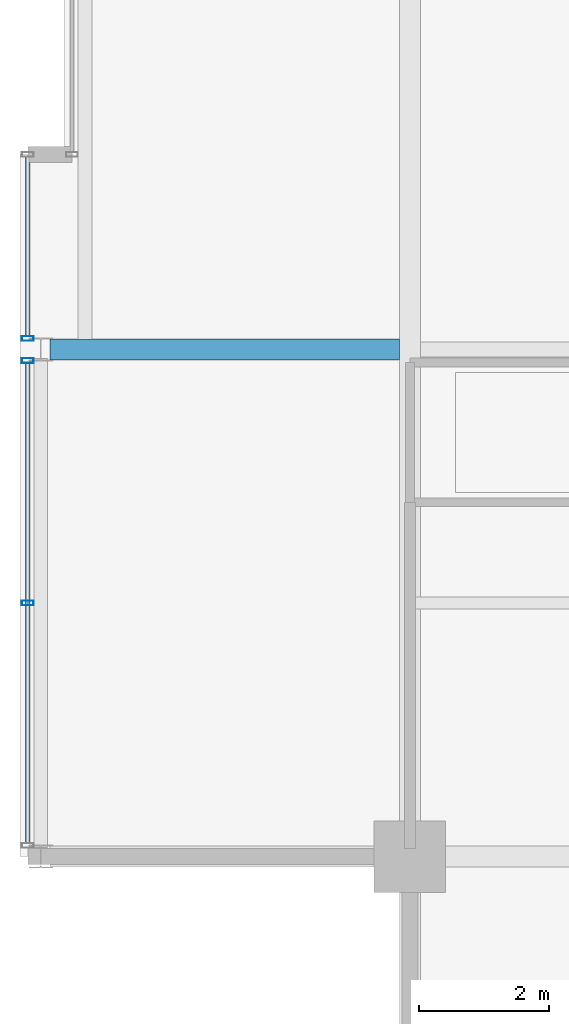
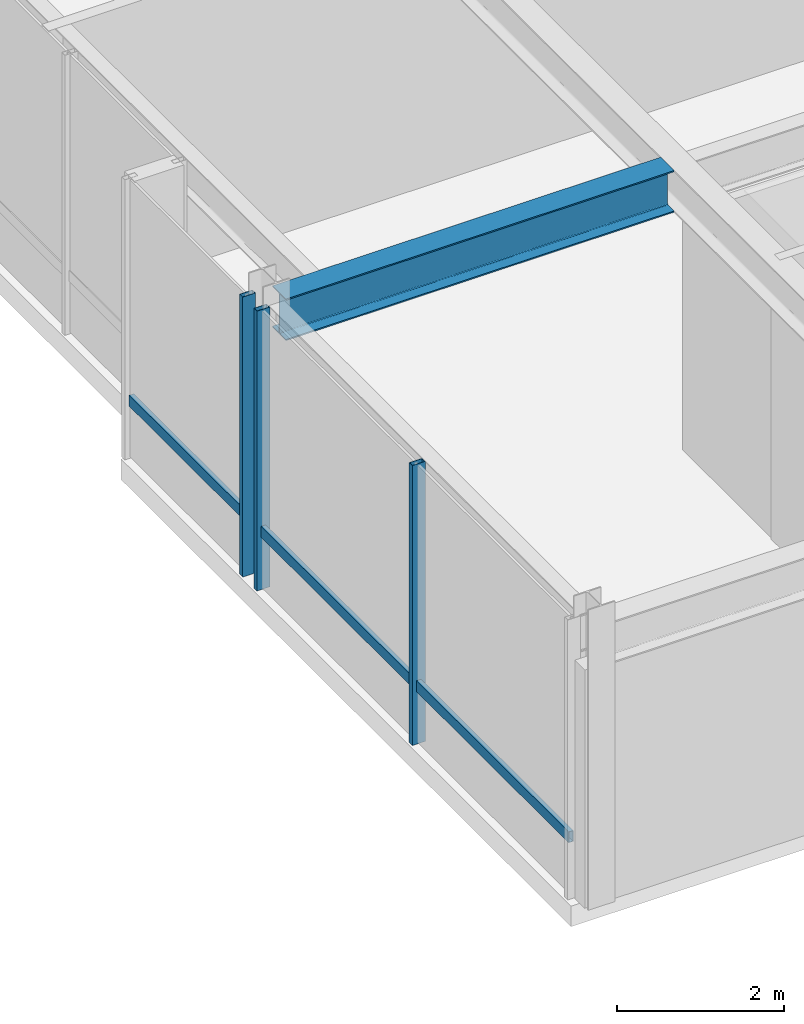
# One storey, part 6 of 34: 5 members, 1 beam, 2 elements without a shape of their own.
"""IFC4 building model written with IfcOpenShell, lengths in metres."""

from ifc_helpers import new_model, si_unit, direction, frame, origin, origin_2d, place, context, subcontext, project, spatial, hollow_rectangle, i_section, extrude, material, layer, layer_set, material_profile, profile_set, type_object, element, aggregate, save


model = new_model("IFC4")

# Units and contexts
model_context = context("Model", 3, precision=1e-05, world=origin(), true_north=direction((0.0, 1.0)))
body_context = subcontext(model_context, "Body", "Model", "MODEL_VIEW")
ifc_project = project(units=[si_unit("LENGTHUNIT", "METRE"), si_unit("AREAUNIT", "SQUARE_METRE"), si_unit("VOLUMEUNIT", "CUBIC_METRE"), si_unit("PLANEANGLEUNIT", "RADIAN"), si_unit("MASSUNIT", "GRAM", prefix="KILO")], contexts=[model_context])

# Site, building, storey
site_placement = place(None, origin())
site = spatial("IfcSite", under=ifc_project, at=site_placement, CompositionType="ELEMENT")
building_placement = place(site_placement, origin())
building = spatial("IfcBuilding", under=site, at=building_placement, Name="Drelvath Grand Hotel", CompositionType="ELEMENT")
storey_placement = place(building_placement, frame((0.0, 0.0, 294.199951171875)))
storey = spatial("IfcBuildingStorey", under=building, at=storey_placement, Name="L77", CompositionType="ELEMENT", Elevation=294.199951171875)

# Curtain wall, member
ifc_material_1 = material(Name="Platinum-Mist Anodised Aluminium Frame", Category="aluminium")
ifc_layer = layer(ifc_material_1, 0.199951171875)
ifc_layer_set = layer_set([ifc_layer], Name="Platinum-Mist Anodised Aluminium Frame")
curtain_wall_type = type_object("IfcCurtainWallType", Name="Stick Curtain Wall CW-05 Platinum Mist High-Rise", PredefinedType="NOTDEFINED", material=ifc_layer_set)
curtain_wall_1_placement = place(storey_placement, origin())
curtain_wall_1 = element("IfcCurtainWall", 1, at=curtain_wall_1_placement, inside=storey, type_object=curtain_wall_type, Name="L77 CW-05 Curtain Wall CW05-L77-WS1", PredefinedType="NOTDEFINED")
ifc_material_profile_1 = material_profile(ifc_material_1, hollow_rectangle(XDim=0.06494140625, YDim=0.159912109375, WallThickness=0.00390625, at=origin_2d()), Name="HSS160X65X4")
ifc_profile_set_1 = profile_set([ifc_material_profile_1], Name="Platinum-Mist Anodised Aluminium Frame")
member_type_1 = type_object("IfcMemberType", Name="Curtain Wall Horizontal Transom CW-05 HSS160X65X4", PredefinedType="USERDEFINED", material=ifc_profile_set_1)
member_1_placement = place(storey_placement, frame((-22.080078125, 11.010009765625, 0.85009765625), z_axis=(0.0, 1.0, 0.0), x_axis=(-1.0, 0.0, 0.0)))
member_1 = element("IfcMember", 2, at=member_1_placement, type_object=member_type_1, Name="CW05-L77-WS1 Sill Transom", ObjectType="TRANSOM", PredefinedType="USERDEFINED", context=body_context, shape_type="SweptSolid", body=[
    extrude(hollow_rectangle(XDim=0.06494140625, YDim=0.159912109375, WallThickness=0.00390625, at=origin_2d()), origin(), (0.0, 0.0, 1.0), 7.3798828125),
])

curtain_wall_2_placement = place(storey_placement, origin())
curtain_wall_2 = element("IfcCurtainWall", 3, at=curtain_wall_2_placement, inside=storey, type_object=curtain_wall_type, Name="L77 CW-05 Curtain Wall CW05-L77-WS2", PredefinedType="NOTDEFINED")
member_2_placement = place(storey_placement, frame((-22.080078125, 18.81005859375, 0.85009765625), z_axis=(0.0, 1.0, 0.0), x_axis=(-1.0, 0.0, 0.0)))
member_2 = element("IfcMember", 4, at=member_2_placement, type_object=member_type_1, Name="CW05-L77-WS2 Sill Transom", ObjectType="TRANSOM", PredefinedType="USERDEFINED", context=body_context, shape_type="SweptSolid", body=[
    extrude(hollow_rectangle(XDim=0.06494140625, YDim=0.159912109375, WallThickness=0.00390625, at=origin_2d()), origin(), (0.0, 0.0, 1.0), 2.75),
])

# Member
ifc_material_profile_2 = material_profile(ifc_material_1, hollow_rectangle(XDim=0.074951171875, YDim=0.179931640625, WallThickness=0.0048828125, at=origin_2d()), Name="HSS180X75X5")
ifc_profile_set_2 = profile_set([ifc_material_profile_2], Name="Platinum-Mist Anodised Aluminium Frame")
member_type_2 = type_object("IfcMemberType", Name="Curtain Wall Vertical Mullion CW-05 HSS180X75X5", PredefinedType="MULLION", material=ifc_profile_set_2)
member_3_placement = place(storey_placement, frame((-22.080078125, 14.7001953125, 0.0), z_axis=(0.0, 0.0, 1.0), x_axis=(0.0, 1.0, 0.0)))
member_3 = element("IfcMember", 5, at=member_3_placement, type_object=member_type_2, Name="CW05-L77-WS1 Mullion 2", PredefinedType="MULLION", context=body_context, shape_type="SweptSolid", body=[
    extrude(hollow_rectangle(XDim=0.074951171875, YDim=0.179931640625, WallThickness=0.0048828125, at=origin_2d()), origin(), (0.0, 0.0, 1.0), 4.10009765625),
])

member_4_placement = place(storey_placement, frame((-22.080078125, 18.429931640625, 0.0), z_axis=(0.0, 0.0, 1.0), x_axis=(0.0, 1.0, 0.0)))
member_4 = element("IfcMember", 6, at=member_4_placement, type_object=member_type_2, Name="CW05-L77-WS1 Mullion 3", PredefinedType="MULLION", context=body_context, shape_type="SweptSolid", body=[
    extrude(hollow_rectangle(XDim=0.074951171875, YDim=0.179931640625, WallThickness=0.0048828125, at=origin_2d()), origin(), (0.0, 0.0, 1.0), 4.10009765625),
])

aggregate(curtain_wall_1, [member_3, member_4, member_1])

member_5_placement = place(storey_placement, frame((-22.080078125, 18.77001953125, 0.0), z_axis=(0.0, 0.0, 1.0), x_axis=(0.0, 1.0, 0.0)))
member_5 = element("IfcMember", 7, at=member_5_placement, type_object=member_type_2, Name="CW05-L77-WS2 Mullion 1", PredefinedType="MULLION", context=body_context, shape_type="SweptSolid", body=[
    extrude(hollow_rectangle(XDim=0.074951171875, YDim=0.179931640625, WallThickness=0.0048828125, at=origin_2d()), origin(), (0.0, 0.0, 1.0), 4.10009765625),
])

aggregate(curtain_wall_2, [member_5, member_2])

# Beam
ifc_material_2 = material(Name="Steel ASTM A992 Gr 50", Category="steel")
ifc_material_profile_3 = material_profile(ifc_material_2, i_section(OverallWidth=0.323974609375, OverallDepth=0.611083984375, WebThickness=0.0126953125, FlangeThickness=0.01904296875, FilletRadius=0.02197265625, at=origin_2d()), Name="W24X104")
ifc_profile_set_3 = profile_set([ifc_material_profile_3], Name="Steel ASTM A992 Gr 50")
beam_type = type_object("IfcBeamType", Name="Primary Floor Girder W24X104", PredefinedType="BEAM", material=ifc_profile_set_3)
beam_placement = place(storey_placement, frame((-21.739990234375, 18.60009765625, 3.79443359375), z_axis=(1.0, 0.0, 0.0), x_axis=(0.0, 1.0, 0.0)))
element("IfcBeam", 8, at=beam_placement, inside=storey, type_object=beam_type, Name="L77 West Wing Girder D", PredefinedType="BEAM", context=body_context, shape_type="SweptSolid", body=[
    extrude(i_section(OverallWidth=0.323974609375, OverallDepth=0.611083984375, WebThickness=0.0126953125, FlangeThickness=0.01904296875, FilletRadius=0.02197265625, at=origin_2d()), origin(), (0.0, 0.0, 1.0), 5.3779296875),
])

save(model, "model.ifc")
